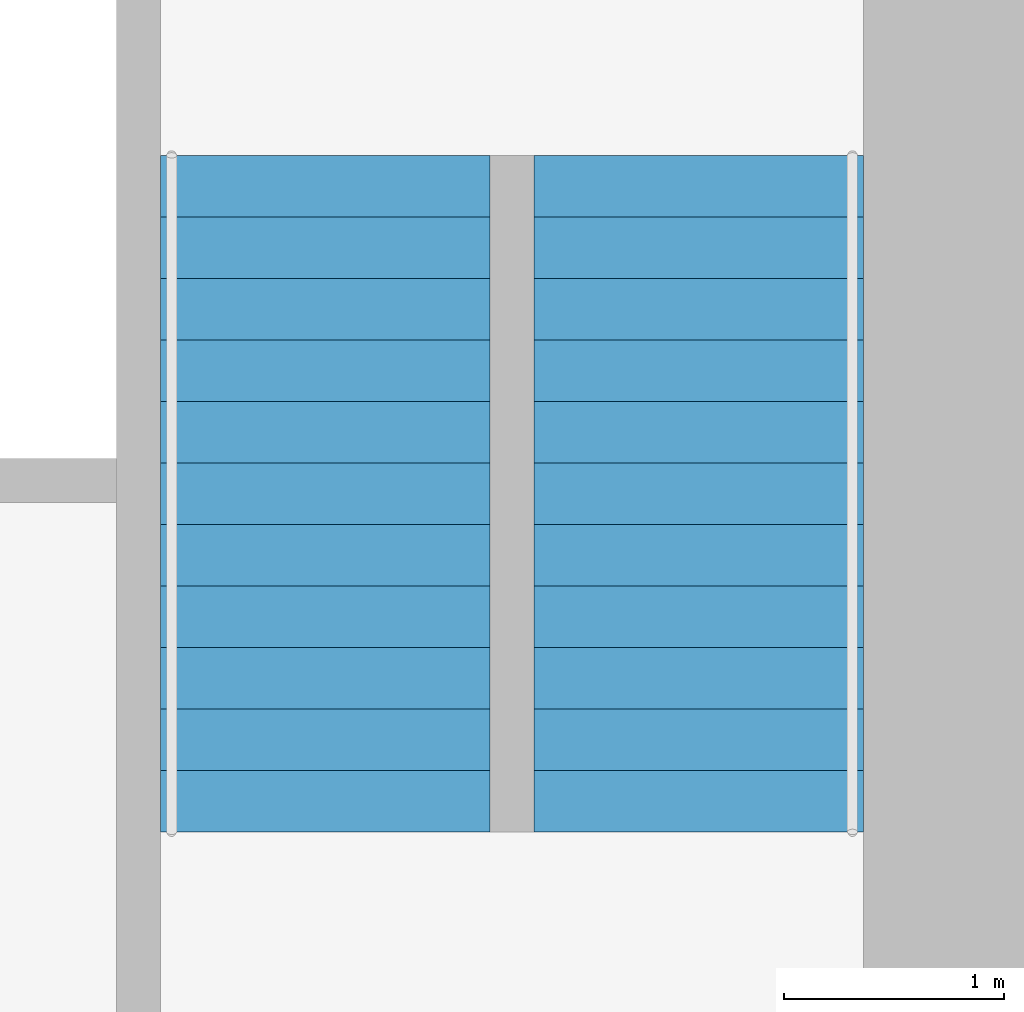
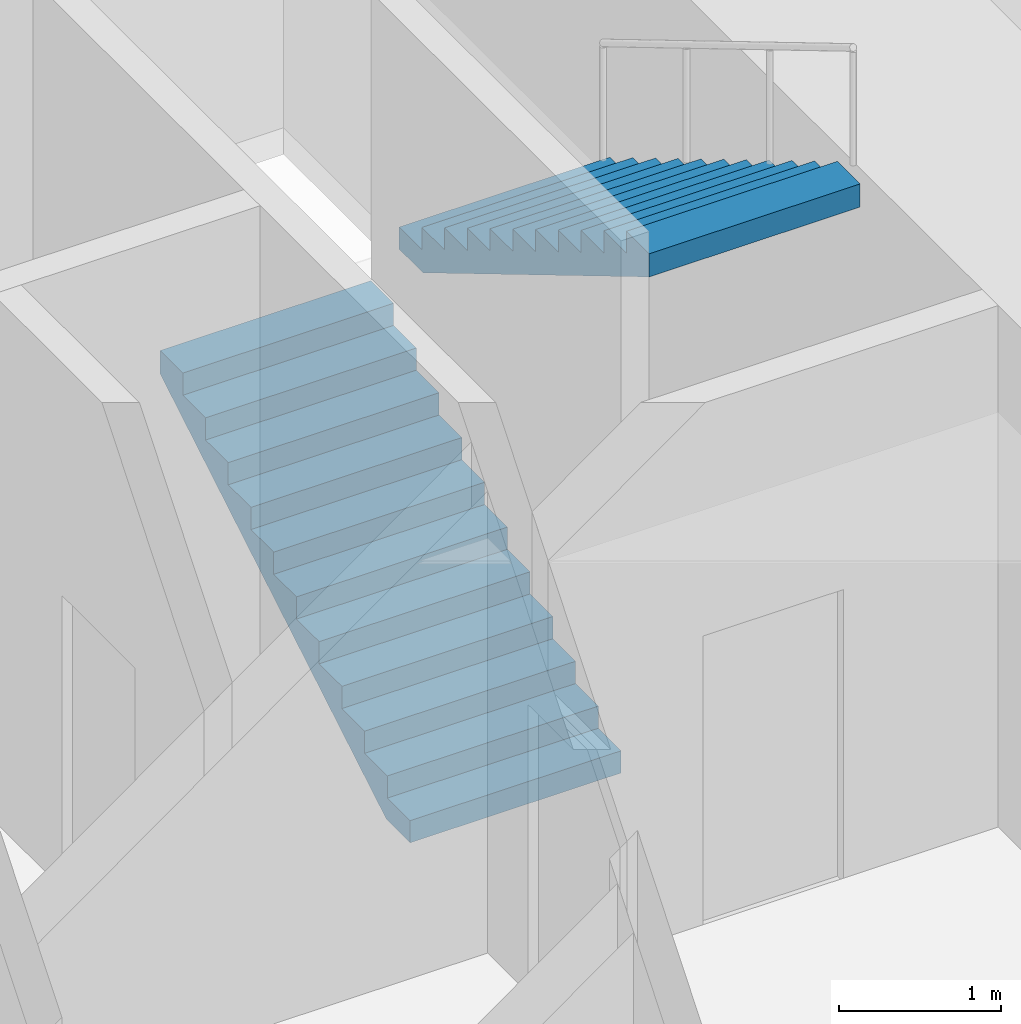
# One storey, part 11 of 14: 2 stair flights, 1 element without a shape of its own.
"""IFC4 building model written with IfcOpenShell, lengths in metres."""

from ifc_helpers import new_model, si_unit, direction, frame, origin, place, context, subcontext, project, spatial, polyline, outline, extrude, material, type_object, element, aggregate, save


model = new_model("IFC4")

# Units and contexts
model_context = context("Model", 3, precision=1e-05, world=origin(), true_north=direction((0.0, 1.0)))
body_context = subcontext(model_context, "Body", "Model", "MODEL_VIEW")
ifc_project = project(units=[si_unit("LENGTHUNIT", "METRE"), si_unit("AREAUNIT", "SQUARE_METRE"), si_unit("VOLUMEUNIT", "CUBIC_METRE"), si_unit("PLANEANGLEUNIT", "RADIAN"), si_unit("MASSUNIT", "GRAM", prefix="KILO")], contexts=[model_context])

# Site, building, storey
site_placement = place(None, origin())
site = spatial("IfcSite", under=ifc_project, at=site_placement, CompositionType="ELEMENT")
building_placement = place(site_placement, origin())
building = spatial("IfcBuilding", under=site, at=building_placement, Name="Svetlomir Tower", CompositionType="ELEMENT")
storey_placement = place(building_placement, frame((0.0, 0.0, 108.5)))
storey = spatial("IfcBuildingStorey", under=building, at=storey_placement, Name="L25", CompositionType="ELEMENT", Elevation=108.5)

# Stair, stair flights
ifc_material_1 = material(Name="Concrete C60/75", Category="concrete")
stair_type = type_object("IfcStairType", Name="EXIT STAIR 3200 RISE 4000", PredefinedType="HALF_TURN_STAIR", material=ifc_material_1)
stair_placement = place(storey_placement, origin())
stair = element("IfcStair", 1, at=stair_placement, inside=storey, type_object=stair_type, Name="Stair S2 L25 to L26", PredefinedType="HALF_TURN_STAIR")
ifc_material_2 = material(Name="Concrete C60/75", Category="concrete")
stair_flight_type = type_object("IfcStairFlightType", Name="STAIR FLIGHT 1500 OF 12 RISERS", PredefinedType="STRAIGHT", material=ifc_material_2)
stair_flight_1_placement = place(storey_placement, frame((26.949951171875, 22.300048828125, 0.0), z_axis=(0.0, 0.0, 1.0), x_axis=(0.0, 1.0, 0.0)))
stair_flight_1 = element("IfcStairFlight", 2, at=stair_flight_1_placement, type_object=stair_flight_type, Name="S2 flight 1", NumberOfRisers=12, NumberOfTreads=11, PredefinedType="STRAIGHT", RiserHeight=0.166666667, TreadLength=0.28, context=body_context, shape_type="SweptSolid", body=[
    extrude(outline(polyline([(0.0, 0.0), (0.0, 0.166748046875), (0.280029296875, 0.166748046875), (0.280029296875, 0.333251953125), (0.56005859375, 0.333251953125), (0.56005859375, 0.5), (0.840087890625, 0.5), (0.840087890625, 0.666748046875), (1.1201171875, 0.666748046875), (1.1201171875, 0.833251953125), (1.39990234375, 0.833251953125), (1.39990234375, 1.0), (1.679931640625, 1.0), (1.679931640625, 1.166748046875), (1.9599609375, 1.166748046875), (1.9599609375, 1.333251953125), (2.239990234375, 1.333251953125), (2.239990234375, 1.5), (2.52001953125, 1.5), (2.52001953125, 1.666748046875), (2.800048828125, 1.666748046875), (2.800048828125, 1.833251953125), (3.080078125, 1.833251953125), (3.080078125, 2.0), (3.080078125, 1.658935546875), (0.29296875, 0.0), (0.0, 0.0)])), frame((0.0, 0.75, 0.0), z_axis=(0.0, -1.0, 0.0), x_axis=(1.0, 0.0, 0.0)), (0.0, 0.0, 1.0), 1.5),
])
stair_flight_2_placement = place(storey_placement, frame((28.64990234375, 25.3798828125, 2.0), z_axis=(0.0, 0.0, 1.0), x_axis=(0.0, -1.0, 0.0)))
stair_flight_2 = element("IfcStairFlight", 3, at=stair_flight_2_placement, type_object=stair_flight_type, Name="S2 flight 2", NumberOfRisers=12, NumberOfTreads=11, PredefinedType="STRAIGHT", RiserHeight=0.166666667, TreadLength=0.28, context=body_context, shape_type="SweptSolid", body=[
    extrude(outline(polyline([(0.0, 0.0), (0.0, 0.166748046875), (0.280029296875, 0.166748046875), (0.280029296875, 0.333251953125), (0.56005859375, 0.333251953125), (0.56005859375, 0.5), (0.840087890625, 0.5), (0.840087890625, 0.666748046875), (1.1201171875, 0.666748046875), (1.1201171875, 0.833251953125), (1.39990234375, 0.833251953125), (1.39990234375, 1.0), (1.679931640625, 1.0), (1.679931640625, 1.166748046875), (1.9599609375, 1.166748046875), (1.9599609375, 1.333251953125), (2.239990234375, 1.333251953125), (2.239990234375, 1.5), (2.52001953125, 1.5), (2.52001953125, 1.666748046875), (2.800048828125, 1.666748046875), (2.800048828125, 1.833251953125), (3.080078125, 1.833251953125), (3.080078125, 2.0), (3.080078125, 1.658935546875), (0.29296875, 0.0), (0.0, 0.0)])), frame((0.0, 0.75, 0.0), z_axis=(0.0, -1.0, 0.0), x_axis=(1.0, 0.0, 0.0)), (0.0, 0.0, 1.0), 1.5),
])
aggregate(stair, [stair_flight_1, stair_flight_2])

save(model, "model.ifc")
